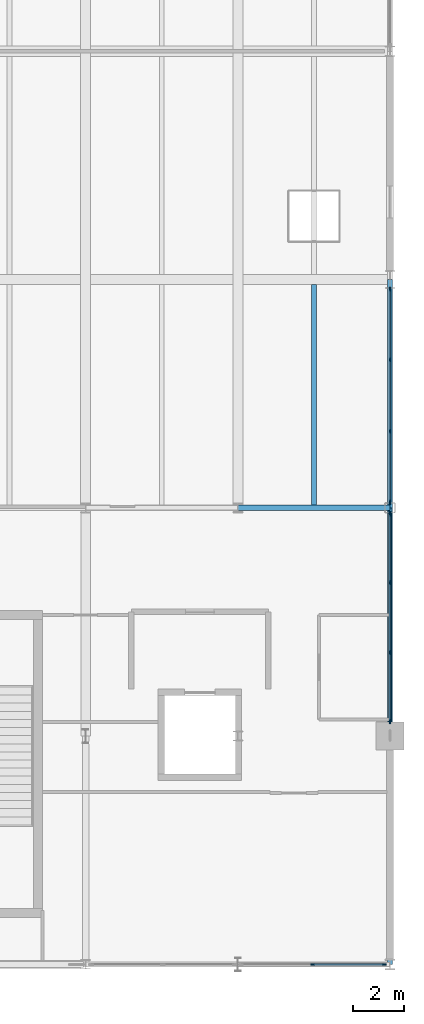
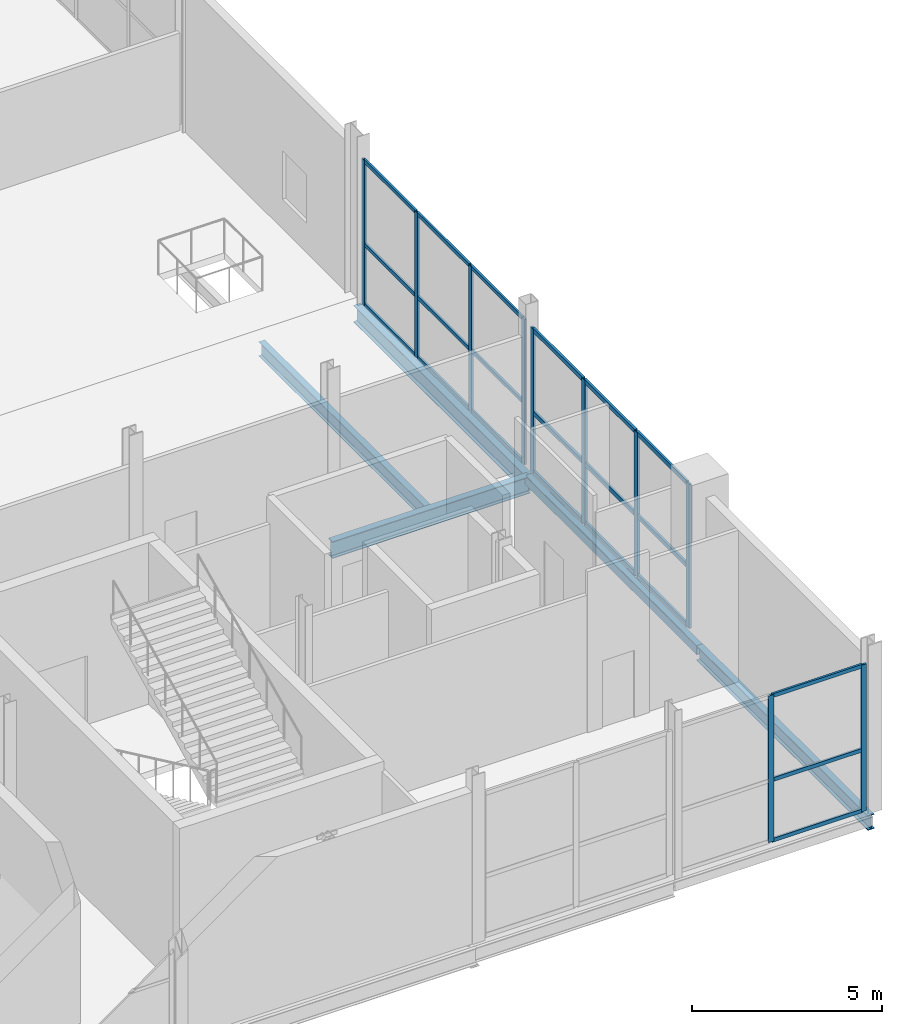
# One storey, part 51 of 119: 31 members, 5 beams, 3 elements without a shape of their own.
"""IFC4 building model written with IfcOpenShell, lengths in metres."""

from ifc_helpers import new_model, si_unit, direction, frame, origin, origin_2d, place, context, subcontext, project, spatial, rectangle, hollow_rectangle, i_section, extrude, material, layer, layer_set, material_profile, profile_set, type_object, element, aggregate, save


model = new_model("IFC4")

# Units and contexts
model_context = context("Model", 3, precision=1e-05, world=origin(), true_north=direction((0.0, 1.0)))
body_context = subcontext(model_context, "Body", "Model", "MODEL_VIEW")
ifc_project = project(units=[si_unit("LENGTHUNIT", "METRE"), si_unit("AREAUNIT", "SQUARE_METRE"), si_unit("VOLUMEUNIT", "CUBIC_METRE"), si_unit("PLANEANGLEUNIT", "RADIAN"), si_unit("MASSUNIT", "GRAM", prefix="KILO")], contexts=[model_context])

# Site, building, storey
site_placement = place(None, origin())
site = spatial("IfcSite", under=ifc_project, at=site_placement, CompositionType="ELEMENT")
building_placement = place(site_placement, origin())
building = spatial("IfcBuilding", under=site, at=building_placement, Name="Qamarlyn Nura Convention Centre", CompositionType="ELEMENT")
storey_placement = place(building_placement, frame((0.0, 0.0, 5.39990234375)))
storey = spatial("IfcBuildingStorey", under=building, at=storey_placement, Name="L01", CompositionType="ELEMENT", Elevation=5.39990234375)

# Beams
ifc_material_1 = material(Name="Steel ASTM A992", Category="steel")
ifc_material_profile_1 = material_profile(ifc_material_1, i_section(OverallWidth=0.18994140625, OverallDepth=0.45703125, WebThickness=0.009033203125, FlangeThickness=0.014404296875, FilletRadius=0.012939453125, at=origin_2d()), Name="W460X74")
ifc_profile_set_1 = profile_set([ifc_material_profile_1], Name="Steel ASTM A992")
beam_type_1 = type_object("IfcBeamType", Name="BM-JOIST-460", PredefinedType="JOIST", material=ifc_profile_set_1)
beam_1_placement = place(storey_placement, frame((189.0, 18.10546875, -0.448486328125), z_axis=(0.0, 1.0, 0.0), x_axis=(-1.0, 0.0, 0.0)))
element("IfcBeam", 1, at=beam_1_placement, inside=storey, type_object=beam_type_1, Name="L01 secondary joist 17-18/C-D-40", PredefinedType="JOIST", context=body_context, shape_type="SweptSolid", body=[
    extrude(i_section(OverallWidth=0.18994140625, OverallDepth=0.45703125, WebThickness=0.009033203125, FlangeThickness=0.014404296875, FilletRadius=0.012939453125, at=origin_2d()), origin(), (0.0, 0.0, 1.0), 8.694580078125),
])
ifc_material_profile_2 = material_profile(ifc_material_1, i_section(OverallWidth=0.193115234375, OverallDepth=0.466064453125, WebThickness=0.011474609375, FlangeThickness=0.01904296875, FilletRadius=0.012939453125, at=origin_2d()), Name="W460X97")
ifc_profile_set_2 = profile_set([ifc_material_profile_2], Name="Steel ASTM A992")
beam_type_2 = type_object("IfcBeamType", Name="BM-SPAN-460", PredefinedType="SPANDREL", material=ifc_profile_set_2)
beam_2_placement = place(storey_placement, frame((192.0, 0.0, -0.452880859375), z_axis=(0.0, 1.0, 0.0), x_axis=(-1.0, 0.0, 0.0)))
element("IfcBeam", 2, at=beam_2_placement, inside=storey, type_object=beam_type_2, Name="L01 girder 18 A-B", PredefinedType="SPANDREL", context=body_context, shape_type="SweptSolid", body=[
    extrude(i_section(OverallWidth=0.193115234375, OverallDepth=0.466064453125, WebThickness=0.011474609375, FlangeThickness=0.01904296875, FilletRadius=0.012939453125, at=origin_2d()), origin(), (0.0, 0.0, 1.0), 9.0),
])
ifc_material_profile_3 = material_profile(ifc_material_1, i_section(OverallWidth=0.2109375, OverallDepth=0.5390625, WebThickness=0.01171875, FlangeThickness=0.018798828125, FilletRadius=0.013916015625, at=origin_2d()), Name="W530X109")
ifc_profile_set_3 = profile_set([ifc_material_profile_3], Name="Steel ASTM A992")
beam_type_3 = type_object("IfcBeamType", Name="BM-SPAN-530", PredefinedType="SPANDREL", material=ifc_profile_set_3)
beam_3_placement = place(storey_placement, frame((186.0, 18.0, -0.489501953125), z_axis=(1.0, 0.0, 0.0), x_axis=(0.0, 1.0, 0.0)))
element("IfcBeam", 3, at=beam_3_placement, inside=storey, type_object=beam_type_3, Name="L01 girder C 17-18", PredefinedType="SPANDREL", context=body_context, shape_type="SweptSolid", body=[
    extrude(i_section(OverallWidth=0.2109375, OverallDepth=0.5390625, WebThickness=0.01171875, FlangeThickness=0.018798828125, FilletRadius=0.013916015625, at=origin_2d()), origin(), (0.0, 0.0, 1.0), 6.0),
])
beam_4_placement = place(storey_placement, frame((192.0, 18.0, -0.489501953125), z_axis=(0.0, 1.0, 0.0), x_axis=(-1.0, 0.0, 0.0)))
element("IfcBeam", 4, at=beam_4_placement, inside=storey, type_object=beam_type_3, Name="L01 girder 18 C-D", PredefinedType="SPANDREL", context=body_context, shape_type="SweptSolid", body=[
    extrude(i_section(OverallWidth=0.2109375, OverallDepth=0.5390625, WebThickness=0.01171875, FlangeThickness=0.018798828125, FilletRadius=0.013916015625, at=origin_2d()), origin(), (0.0, 0.0, 1.0), 9.0),
])
ifc_material_2 = material(Name="Steel ASTM A500 Grade C", Category="steel")
ifc_material_profile_4 = material_profile(ifc_material_2, hollow_rectangle(XDim=0.199951171875, YDim=0.300048828125, WallThickness=0.012451171875, InnerFilletRadius=0.012451171875, OuterFilletRadius=0.02490234375, at=origin_2d()), Name="HSS300X200X12.5")
ifc_profile_set_4 = profile_set([ifc_material_profile_4], Name="Steel ASTM A500 Grade C")
beam_type_4 = type_object("IfcBeamType", Name="BM-SPAN-HSS", PredefinedType="SPANDREL", material=ifc_profile_set_4)
beam_5_placement = place(storey_placement, frame((192.0, 9.0, -0.369873046875), z_axis=(0.0, 1.0, 0.0), x_axis=(-1.0, 0.0, 0.0)))
element("IfcBeam", 5, at=beam_5_placement, inside=storey, type_object=beam_type_4, Name="L01 girder 18 B-C", PredefinedType="SPANDREL", context=body_context, shape_type="SweptSolid", body=[
    extrude(hollow_rectangle(XDim=0.199951171875, YDim=0.300048828125, WallThickness=0.012451171875, InnerFilletRadius=0.012451171875, OuterFilletRadius=0.02490234375, at=origin_2d()), origin(), (0.0, 0.0, 1.0), 9.0),
])

# Curtain wall, members
ifc_material_3 = material(Name="Double-silver low-E insulated glass", Category="glass")
ifc_layer_1 = layer(ifc_material_3, 0.179931640625, Name="CW-UNIT-67")
ifc_layer_set_1 = layer_set([ifc_layer_1], Name="Double-silver low-E insulated glass")
curtain_wall_type_1 = type_object("IfcCurtainWallType", Name="CW-UNIT-67", PredefinedType="NOTDEFINED", material=ifc_layer_set_1)
curtain_wall_1_placement = place(storey_placement, origin())
curtain_wall_1 = element("IfcCurtainWall", 6, at=curtain_wall_1_placement, inside=storey, type_object=curtain_wall_type_1, Name="L01 unitised curtain wall EAST-3-1", PredefinedType="NOTDEFINED")
ifc_material_4 = material(Name="Champagne-anodised marine aluminium", Category="aluminium")
ifc_material_profile_5 = material_profile(ifc_material_4, rectangle(XDim=0.06494140625, YDim=0.159912109375, at=origin_2d()), Name="ALU MULLION 65x160")
ifc_profile_set_5 = profile_set([ifc_material_profile_5], Name="Champagne-anodised marine aluminium")
member_type_1 = type_object("IfcMemberType", Name="CWM-160", PredefinedType="MULLION", material=ifc_profile_set_5)
member_1_placement = place(storey_placement, frame((192.0, 26.6201171875, 0.0), z_axis=(0.0, 0.0, 1.0), x_axis=(1.0, 0.0, 0.0)))
member_1 = element("IfcMember", 7, at=member_1_placement, type_object=member_type_1, Name="CW67 mullion 1", PredefinedType="MULLION", context=body_context, shape_type="SweptSolid", body=[
    extrude(rectangle(XDim=0.06494140625, YDim=0.159912109375, at=origin_2d()), origin(), (0.0, 0.0, 1.0), 4.6591796875),
])
member_2_placement = place(storey_placement, frame((192.0, 23.8349609375, 0.0), z_axis=(0.0, 0.0, 1.0), x_axis=(1.0, 0.0, 0.0)))
member_2 = element("IfcMember", 8, at=member_2_placement, type_object=member_type_1, Name="CW67 mullion 2", PredefinedType="MULLION", context=body_context, shape_type="SweptSolid", body=[
    extrude(rectangle(XDim=0.06494140625, YDim=0.159912109375, at=origin_2d()), origin(), (0.0, 0.0, 1.0), 4.6591796875),
])
member_3_placement = place(storey_placement, frame((192.0, 21.017578125, 0.0), z_axis=(0.0, 0.0, 1.0), x_axis=(1.0, 0.0, 0.0)))
member_3 = element("IfcMember", 9, at=member_3_placement, type_object=member_type_1, Name="CW67 mullion 3", PredefinedType="MULLION", context=body_context, shape_type="SweptSolid", body=[
    extrude(rectangle(XDim=0.06494140625, YDim=0.159912109375, at=origin_2d()), origin(), (0.0, 0.0, 1.0), 4.6591796875),
])
member_4_placement = place(storey_placement, frame((192.0, 18.232421875, 0.0), z_axis=(0.0, 0.0, 1.0), x_axis=(1.0, 0.0, 0.0)))
member_4 = element("IfcMember", 10, at=member_4_placement, type_object=member_type_1, Name="CW67 mullion 4", PredefinedType="MULLION", context=body_context, shape_type="SweptSolid", body=[
    extrude(rectangle(XDim=0.06494140625, YDim=0.159912109375, at=origin_2d()), origin(), (0.0, 0.0, 1.0), 4.6591796875),
])

ifc_layer_2 = layer(ifc_material_3, 0.179931640625, Name="CW-UNIT-79")
ifc_layer_set_2 = layer_set([ifc_layer_2], Name="Double-silver low-E insulated glass")
curtain_wall_type_2 = type_object("IfcCurtainWallType", Name="CW-UNIT-79", PredefinedType="NOTDEFINED", material=ifc_layer_set_2)
curtain_wall_2_placement = place(storey_placement, origin())
curtain_wall_2 = element("IfcCurtainWall", 11, at=curtain_wall_2_placement, inside=storey, type_object=curtain_wall_type_2, Name="L01 unitised curtain wall STH-5-1", PredefinedType="NOTDEFINED")
member_5_placement = place(storey_placement, frame((191.762939453125, 0.0, 0.0), z_axis=(0.0, 0.0, 1.0), x_axis=(0.0, -1.0, 0.0)))
member_5 = element("IfcMember", 12, at=member_5_placement, type_object=member_type_1, Name="CW79 mullion 1", PredefinedType="MULLION", context=body_context, shape_type="SweptSolid", body=[
    extrude(rectangle(XDim=0.06494140625, YDim=0.159912109375, at=origin_2d()), origin(), (0.0, 0.0, 1.0), 4.69921875),
])
member_6_placement = place(storey_placement, frame((188.950439453125, 0.0, 0.0), z_axis=(0.0, 0.0, 1.0), x_axis=(0.0, -1.0, 0.0)))
member_6 = element("IfcMember", 13, at=member_6_placement, type_object=member_type_1, Name="CW79 mullion 2", PredefinedType="MULLION", context=body_context, shape_type="SweptSolid", body=[
    extrude(rectangle(XDim=0.06494140625, YDim=0.159912109375, at=origin_2d()), origin(), (0.0, 0.0, 1.0), 4.69921875),
])

ifc_layer_3 = layer(ifc_material_3, 0.179931640625, Name="CW-UNIT-66")
ifc_layer_set_3 = layer_set([ifc_layer_3], Name="Double-silver low-E insulated glass")
curtain_wall_type_3 = type_object("IfcCurtainWallType", Name="CW-UNIT-66", PredefinedType="NOTDEFINED", material=ifc_layer_set_3)
curtain_wall_3_placement = place(storey_placement, origin())
curtain_wall_3 = element("IfcCurtainWall", 14, at=curtain_wall_3_placement, inside=storey, type_object=curtain_wall_type_3, Name="L01 unitised curtain wall EAST-2-1", PredefinedType="NOTDEFINED")
ifc_material_profile_6 = material_profile(ifc_material_4, rectangle(XDim=0.070068359375, YDim=0.179931640625, at=origin_2d()), Name="ALU MULLION 70x180")
ifc_profile_set_6 = profile_set([ifc_material_profile_6], Name="Champagne-anodised marine aluminium")
member_type_2 = type_object("IfcMemberType", Name="CWM-180", PredefinedType="MULLION", material=ifc_profile_set_6)
member_7_placement = place(storey_placement, frame((192.0, 17.764892578125, 0.0), z_axis=(0.0, 0.0, 1.0), x_axis=(1.0, 0.0, 0.0)))
member_7 = element("IfcMember", 15, at=member_7_placement, type_object=member_type_2, Name="CW66 mullion 1", PredefinedType="MULLION", context=body_context, shape_type="SweptSolid", body=[
    extrude(rectangle(XDim=0.070068359375, YDim=0.179931640625, at=origin_2d()), origin(), (0.0, 0.0, 1.0), 4.6259765625),
])
member_8_placement = place(storey_placement, frame((192.0, 15.050048828125, 0.0), z_axis=(0.0, 0.0, 1.0), x_axis=(1.0, 0.0, 0.0)))
member_8 = element("IfcMember", 16, at=member_8_placement, type_object=member_type_2, Name="CW66 mullion 2", PredefinedType="MULLION", context=body_context, shape_type="SweptSolid", body=[
    extrude(rectangle(XDim=0.070068359375, YDim=0.179931640625, at=origin_2d()), origin(), (0.0, 0.0, 1.0), 4.6259765625),
])
member_9_placement = place(storey_placement, frame((192.0, 12.300048828125, 0.0), z_axis=(0.0, 0.0, 1.0), x_axis=(1.0, 0.0, 0.0)))
member_9 = element("IfcMember", 17, at=member_9_placement, type_object=member_type_2, Name="CW66 mullion 3", PredefinedType="MULLION", context=body_context, shape_type="SweptSolid", body=[
    extrude(rectangle(XDim=0.070068359375, YDim=0.179931640625, at=origin_2d()), origin(), (0.0, 0.0, 1.0), 4.6259765625),
])
member_10_placement = place(storey_placement, frame((192.0, 9.5849609375, 0.0), z_axis=(0.0, 0.0, 1.0), x_axis=(1.0, 0.0, 0.0)))
member_10 = element("IfcMember", 18, at=member_10_placement, type_object=member_type_2, Name="CW66 mullion 4", PredefinedType="MULLION", context=body_context, shape_type="SweptSolid", body=[
    extrude(rectangle(XDim=0.070068359375, YDim=0.179931640625, at=origin_2d()), origin(), (0.0, 0.0, 1.0), 4.6259765625),
])

# Member
ifc_material_profile_7 = material_profile(ifc_material_4, rectangle(XDim=0.06494140625, YDim=0.1201171875, at=origin_2d()), Name="ALU TRANSOM 65x120")
ifc_profile_set_7 = profile_set([ifc_material_profile_7], Name="Champagne-anodised marine aluminium")
member_type_3 = type_object("IfcMemberType", Name="CWT-120", PredefinedType="USERDEFINED", material=ifc_profile_set_7)
member_11_placement = place(storey_placement, frame((192.0, 26.58740234375, 0.03271484375), z_axis=(0.0, -1.0, 0.0), x_axis=(1.0, 0.0, 0.0)))
member_11 = element("IfcMember", 19, at=member_11_placement, type_object=member_type_3, Name="CW67 transom 1.1", ObjectType="TRANSOM", PredefinedType="USERDEFINED", context=body_context, shape_type="SweptSolid", body=[
    extrude(rectangle(XDim=0.06494140625, YDim=0.1201171875, at=origin_2d()), origin(), (0.0, 0.0, 1.0), 2.719970703125),
])

member_12_placement = place(storey_placement, frame((192.0, 26.58740234375, 1.95703125), z_axis=(0.0, -1.0, 0.0), x_axis=(1.0, 0.0, 0.0)))
member_12 = element("IfcMember", 20, at=member_12_placement, type_object=member_type_3, Name="CW67 transom 1.2", ObjectType="TRANSOM", PredefinedType="USERDEFINED", context=body_context, shape_type="SweptSolid", body=[
    extrude(rectangle(XDim=0.06494140625, YDim=0.1201171875, at=origin_2d()), origin(), (0.0, 0.0, 1.0), 2.719970703125),
])

member_13_placement = place(storey_placement, frame((192.0, 26.58740234375, 4.626708984375), z_axis=(0.0, -1.0, 0.0), x_axis=(1.0, 0.0, 0.0)))
member_13 = element("IfcMember", 21, at=member_13_placement, type_object=member_type_3, Name="CW67 transom 1.3", ObjectType="TRANSOM", PredefinedType="USERDEFINED", context=body_context, shape_type="SweptSolid", body=[
    extrude(rectangle(XDim=0.06494140625, YDim=0.1201171875, at=origin_2d()), origin(), (0.0, 0.0, 1.0), 2.719970703125),
])

member_14_placement = place(storey_placement, frame((192.0, 23.802490234375, 0.03271484375), z_axis=(0.0, -1.0, 0.0), x_axis=(1.0, 0.0, 0.0)))
member_14 = element("IfcMember", 22, at=member_14_placement, type_object=member_type_3, Name="CW67 transom 2.1", ObjectType="TRANSOM", PredefinedType="USERDEFINED", context=body_context, shape_type="SweptSolid", body=[
    extrude(rectangle(XDim=0.06494140625, YDim=0.1201171875, at=origin_2d()), origin(), (0.0, 0.0, 1.0), 2.75244140625),
])

member_15_placement = place(storey_placement, frame((192.0, 23.802490234375, 1.95703125), z_axis=(0.0, -1.0, 0.0), x_axis=(1.0, 0.0, 0.0)))
member_15 = element("IfcMember", 23, at=member_15_placement, type_object=member_type_3, Name="CW67 transom 2.2", ObjectType="TRANSOM", PredefinedType="USERDEFINED", context=body_context, shape_type="SweptSolid", body=[
    extrude(rectangle(XDim=0.06494140625, YDim=0.1201171875, at=origin_2d()), origin(), (0.0, 0.0, 1.0), 2.75244140625),
])

member_16_placement = place(storey_placement, frame((192.0, 23.802490234375, 4.626708984375), z_axis=(0.0, -1.0, 0.0), x_axis=(1.0, 0.0, 0.0)))
member_16 = element("IfcMember", 24, at=member_16_placement, type_object=member_type_3, Name="CW67 transom 2.3", ObjectType="TRANSOM", PredefinedType="USERDEFINED", context=body_context, shape_type="SweptSolid", body=[
    extrude(rectangle(XDim=0.06494140625, YDim=0.1201171875, at=origin_2d()), origin(), (0.0, 0.0, 1.0), 2.75244140625),
])

member_17_placement = place(storey_placement, frame((192.0, 20.985107421875, 0.03271484375), z_axis=(0.0, -1.0, 0.0), x_axis=(1.0, 0.0, 0.0)))
member_17 = element("IfcMember", 25, at=member_17_placement, type_object=member_type_3, Name="CW67 transom 3.1", ObjectType="TRANSOM", PredefinedType="USERDEFINED", context=body_context, shape_type="SweptSolid", body=[
    extrude(rectangle(XDim=0.06494140625, YDim=0.1201171875, at=origin_2d()), origin(), (0.0, 0.0, 1.0), 2.72021484375),
])

member_18_placement = place(storey_placement, frame((192.0, 20.985107421875, 1.95703125), z_axis=(0.0, -1.0, 0.0), x_axis=(1.0, 0.0, 0.0)))
member_18 = element("IfcMember", 26, at=member_18_placement, type_object=member_type_3, Name="CW67 transom 3.2", ObjectType="TRANSOM", PredefinedType="USERDEFINED", context=body_context, shape_type="SweptSolid", body=[
    extrude(rectangle(XDim=0.06494140625, YDim=0.1201171875, at=origin_2d()), origin(), (0.0, 0.0, 1.0), 2.72021484375),
])

member_19_placement = place(storey_placement, frame((192.0, 20.985107421875, 4.626708984375), z_axis=(0.0, -1.0, 0.0), x_axis=(1.0, 0.0, 0.0)))
member_19 = element("IfcMember", 27, at=member_19_placement, type_object=member_type_3, Name="CW67 transom 3.3", ObjectType="TRANSOM", PredefinedType="USERDEFINED", context=body_context, shape_type="SweptSolid", body=[
    extrude(rectangle(XDim=0.06494140625, YDim=0.1201171875, at=origin_2d()), origin(), (0.0, 0.0, 1.0), 2.72021484375),
])

aggregate(curtain_wall_1, [member_1, member_2, member_3, member_4, member_11, member_12, member_13, member_14, member_15, member_16, member_17, member_18, member_19])

member_20_placement = place(storey_placement, frame((191.73046875, 0.0, 0.03271484375), z_axis=(-1.0, 0.0, 0.0), x_axis=(0.0, -1.0, 0.0)))
member_20 = element("IfcMember", 28, at=member_20_placement, type_object=member_type_3, Name="CW79 transom 1.1", ObjectType="TRANSOM", PredefinedType="USERDEFINED", context=body_context, shape_type="SweptSolid", body=[
    extrude(rectangle(XDim=0.06494140625, YDim=0.1201171875, at=origin_2d()), origin(), (0.0, 0.0, 1.0), 2.74755859375),
])

member_21_placement = place(storey_placement, frame((191.73046875, 0.0, 1.97412109375), z_axis=(-1.0, 0.0, 0.0), x_axis=(0.0, -1.0, 0.0)))
member_21 = element("IfcMember", 29, at=member_21_placement, type_object=member_type_3, Name="CW79 transom 1.2", ObjectType="TRANSOM", PredefinedType="USERDEFINED", context=body_context, shape_type="SweptSolid", body=[
    extrude(rectangle(XDim=0.06494140625, YDim=0.1201171875, at=origin_2d()), origin(), (0.0, 0.0, 1.0), 2.74755859375),
])

member_22_placement = place(storey_placement, frame((191.73046875, 0.0, 4.66650390625), z_axis=(-1.0, 0.0, 0.0), x_axis=(0.0, -1.0, 0.0)))
member_22 = element("IfcMember", 30, at=member_22_placement, type_object=member_type_3, Name="CW79 transom 1.3", ObjectType="TRANSOM", PredefinedType="USERDEFINED", context=body_context, shape_type="SweptSolid", body=[
    extrude(rectangle(XDim=0.06494140625, YDim=0.1201171875, at=origin_2d()), origin(), (0.0, 0.0, 1.0), 2.74755859375),
])

aggregate(curtain_wall_2, [member_5, member_6, member_20, member_21, member_22])

ifc_material_profile_8 = material_profile(ifc_material_4, rectangle(XDim=0.070068359375, YDim=0.139892578125, at=origin_2d()), Name="ALU TRANSOM 70x140")
ifc_profile_set_8 = profile_set([ifc_material_profile_8], Name="Champagne-anodised marine aluminium")
member_type_4 = type_object("IfcMemberType", Name="CWT-140", PredefinedType="USERDEFINED", material=ifc_profile_set_8)
member_23_placement = place(storey_placement, frame((192.0, 17.72998046875, 0.03515625), z_axis=(0.0, -1.0, 0.0), x_axis=(1.0, 0.0, 0.0)))
member_23 = element("IfcMember", 31, at=member_23_placement, type_object=member_type_4, Name="CW66 transom 1.1", ObjectType="TRANSOM", PredefinedType="USERDEFINED", context=body_context, shape_type="SweptSolid", body=[
    extrude(rectangle(XDim=0.070068359375, YDim=0.139892578125, at=origin_2d()), origin(), (0.0, 0.0, 1.0), 2.64501953125),
])

member_24_placement = place(storey_placement, frame((192.0, 17.72998046875, 1.943115234375), z_axis=(0.0, -1.0, 0.0), x_axis=(1.0, 0.0, 0.0)))
member_24 = element("IfcMember", 32, at=member_24_placement, type_object=member_type_4, Name="CW66 transom 1.2", ObjectType="TRANSOM", PredefinedType="USERDEFINED", context=body_context, shape_type="SweptSolid", body=[
    extrude(rectangle(XDim=0.070068359375, YDim=0.139892578125, at=origin_2d()), origin(), (0.0, 0.0, 1.0), 2.64501953125),
])

member_25_placement = place(storey_placement, frame((192.0, 17.72998046875, 4.591064453125), z_axis=(0.0, -1.0, 0.0), x_axis=(1.0, 0.0, 0.0)))
member_25 = element("IfcMember", 33, at=member_25_placement, type_object=member_type_4, Name="CW66 transom 1.3", ObjectType="TRANSOM", PredefinedType="USERDEFINED", context=body_context, shape_type="SweptSolid", body=[
    extrude(rectangle(XDim=0.070068359375, YDim=0.139892578125, at=origin_2d()), origin(), (0.0, 0.0, 1.0), 2.64501953125),
])

member_26_placement = place(storey_placement, frame((192.0, 15.014892578125, 0.03515625), z_axis=(0.0, -1.0, 0.0), x_axis=(1.0, 0.0, 0.0)))
member_26 = element("IfcMember", 34, at=member_26_placement, type_object=member_type_4, Name="CW66 transom 2.1", ObjectType="TRANSOM", PredefinedType="USERDEFINED", context=body_context, shape_type="SweptSolid", body=[
    extrude(rectangle(XDim=0.070068359375, YDim=0.139892578125, at=origin_2d()), origin(), (0.0, 0.0, 1.0), 2.679931640625),
])

member_27_placement = place(storey_placement, frame((192.0, 15.014892578125, 1.943115234375), z_axis=(0.0, -1.0, 0.0), x_axis=(1.0, 0.0, 0.0)))
member_27 = element("IfcMember", 35, at=member_27_placement, type_object=member_type_4, Name="CW66 transom 2.2", ObjectType="TRANSOM", PredefinedType="USERDEFINED", context=body_context, shape_type="SweptSolid", body=[
    extrude(rectangle(XDim=0.070068359375, YDim=0.139892578125, at=origin_2d()), origin(), (0.0, 0.0, 1.0), 2.679931640625),
])

member_28_placement = place(storey_placement, frame((192.0, 15.014892578125, 4.591064453125), z_axis=(0.0, -1.0, 0.0), x_axis=(1.0, 0.0, 0.0)))
member_28 = element("IfcMember", 36, at=member_28_placement, type_object=member_type_4, Name="CW66 transom 2.3", ObjectType="TRANSOM", PredefinedType="USERDEFINED", context=body_context, shape_type="SweptSolid", body=[
    extrude(rectangle(XDim=0.070068359375, YDim=0.139892578125, at=origin_2d()), origin(), (0.0, 0.0, 1.0), 2.679931640625),
])

member_29_placement = place(storey_placement, frame((192.0, 12.264892578125, 0.03515625), z_axis=(0.0, -1.0, 0.0), x_axis=(1.0, 0.0, 0.0)))
member_29 = element("IfcMember", 37, at=member_29_placement, type_object=member_type_4, Name="CW66 transom 3.1", ObjectType="TRANSOM", PredefinedType="USERDEFINED", context=body_context, shape_type="SweptSolid", body=[
    extrude(rectangle(XDim=0.070068359375, YDim=0.139892578125, at=origin_2d()), origin(), (0.0, 0.0, 1.0), 2.644775390625),
])

member_30_placement = place(storey_placement, frame((192.0, 12.264892578125, 1.943115234375), z_axis=(0.0, -1.0, 0.0), x_axis=(1.0, 0.0, 0.0)))
member_30 = element("IfcMember", 38, at=member_30_placement, type_object=member_type_4, Name="CW66 transom 3.2", ObjectType="TRANSOM", PredefinedType="USERDEFINED", context=body_context, shape_type="SweptSolid", body=[
    extrude(rectangle(XDim=0.070068359375, YDim=0.139892578125, at=origin_2d()), origin(), (0.0, 0.0, 1.0), 2.644775390625),
])

member_31_placement = place(storey_placement, frame((192.0, 12.264892578125, 4.591064453125), z_axis=(0.0, -1.0, 0.0), x_axis=(1.0, 0.0, 0.0)))
member_31 = element("IfcMember", 39, at=member_31_placement, type_object=member_type_4, Name="CW66 transom 3.3", ObjectType="TRANSOM", PredefinedType="USERDEFINED", context=body_context, shape_type="SweptSolid", body=[
    extrude(rectangle(XDim=0.070068359375, YDim=0.139892578125, at=origin_2d()), origin(), (0.0, 0.0, 1.0), 2.644775390625),
])

aggregate(curtain_wall_3, [member_7, member_8, member_9, member_10, member_23, member_24, member_25, member_26, member_27, member_28, member_29, member_30, member_31])

save(model, "model.ifc")
